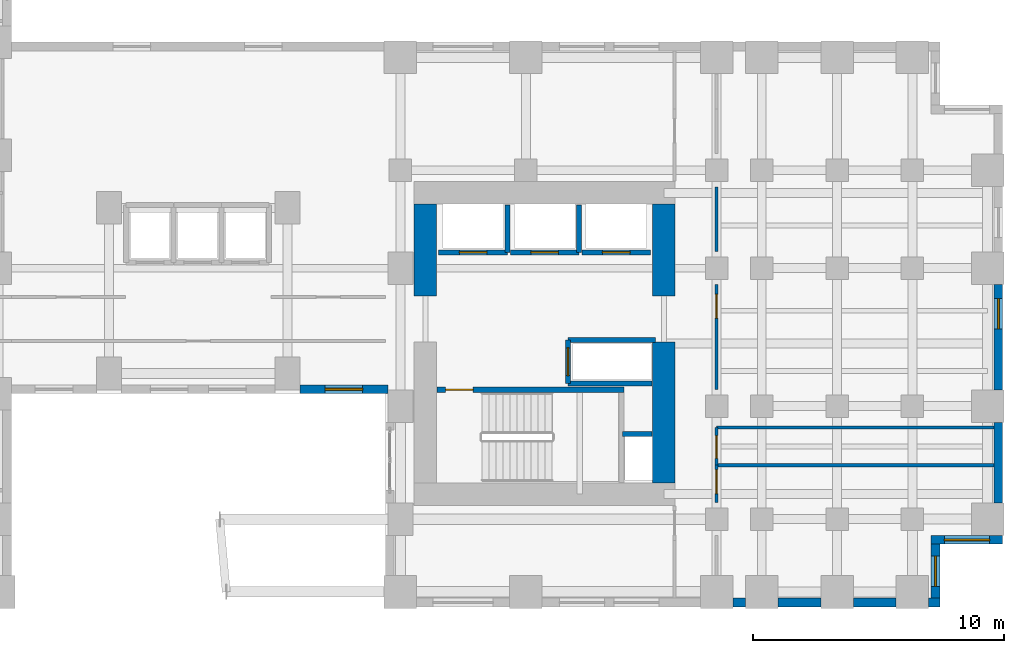
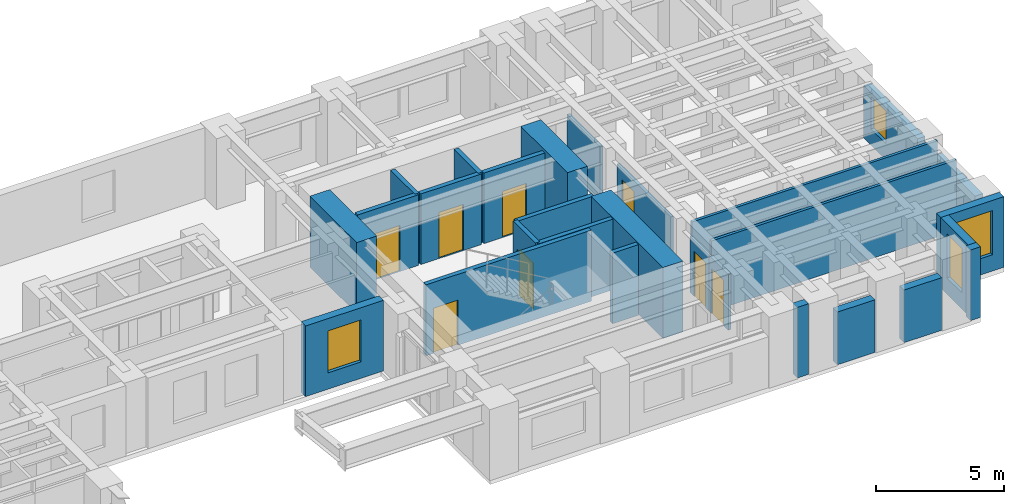
# One storey, part 10 of 14: 28 walls, 8 doors, 4 windows, 12 openings.
"""IFC4 building model written with IfcOpenShell, lengths in metres."""

from ifc_helpers import new_model, si_unit, direction, frame, frame_2d, origin, place, context, subcontext, project, spatial, rectangle, extrude, source, transform, mapped, material, layer, layer_set, type_object, element, fill, save


model = new_model("IFC4")

# Units and contexts
model_context = context("Model", 3, precision=1e-05, world=origin(), true_north=direction((0.0, 1.0)))
body_context = subcontext(model_context, "Body", "Model", "MODEL_VIEW")
ifc_project = project(units=[si_unit("LENGTHUNIT", "METRE"), si_unit("AREAUNIT", "SQUARE_METRE"), si_unit("VOLUMEUNIT", "CUBIC_METRE"), si_unit("PLANEANGLEUNIT", "RADIAN"), si_unit("MASSUNIT", "GRAM", prefix="KILO")], contexts=[model_context])

# Site, building, storey
site_placement = place(None, origin())
site = spatial("IfcSite", under=ifc_project, at=site_placement, CompositionType="ELEMENT")
building_placement = place(site_placement, origin())
building = spatial("IfcBuilding", under=site, at=building_placement, Name="Kharzan Plaza Tower", CompositionType="ELEMENT")
storey_placement = place(building_placement, frame((0.0, 0.0, 44.10009765625)))
storey = spatial("IfcBuildingStorey", under=building, at=storey_placement, Name="L11", CompositionType="ELEMENT", Elevation=44.10009765625)

# Wall, opening, window
ifc_material_1 = material(Name="Concrete C40/50", Category="concrete")
ifc_layer_1 = layer(ifc_material_1, 0.35009765625)
ifc_layer_set_1 = layer_set([ifc_layer_1], Name="Concrete C40/50")
wall_type_1 = type_object("IfcWallType", Name="WL-EXT-MAS-Z1", PredefinedType="SOLIDWALL", material=ifc_layer_set_1)
wall_1_placement = place(storey_placement, frame((30.998046875, 8.675048828125, 0.0), z_axis=(0.0, 0.0, 1.0), x_axis=(1.0, 0.0, 0.0)))
wall_1 = element("IfcWall", 1, at=wall_1_placement, inside=storey, type_object=wall_type_1, Name="L11 Masonry-Frame Exterior Wall 30", PredefinedType="SOLIDWALL", context=body_context, shape_type="SweptSolid", body=[
    extrude(rectangle(XDim=3.50390625, YDim=0.35009765625, at=frame_2d((1.751953125, 0.0))), origin(), (0.0, 0.0, 1.0), 3.364990234375),
])
opening_1_placement = place(wall_1_placement, frame((1.001953125, 0.0, 0.780029296875)))
opening_1 = element("IfcOpeningElement", 2, at=opening_1_placement, cuts=wall_1, Name="Opening W5", PredefinedType="OPENING", context=body_context, shape_type="SweptSolid", body=[
    extrude(rectangle(XDim=1.5, YDim=2.0, at=frame_2d((0.75, 1.0))), frame((0.0, 0.18505859375, 0.0), z_axis=(0.0, -1.0, 0.0), x_axis=(1.0, 0.0, 0.0)), (0.0, 0.0, 1.0), 0.3701171875),
])
ifc_material_2 = material(Name="Low-E Double Glazing", Category="glass")
window_type_1 = type_object("IfcWindowType", Name="WN-SLT-1500x2000", PartitioningType="SINGLE_PANEL", PredefinedType="WINDOW", material=ifc_material_2)
shared_shape_1 = source(origin(), body_context, "Body", "SweptSolid", [
    extrude(rectangle(XDim=1.5, YDim=2.0, at=frame_2d((0.75, 1.0))), frame((0.0, 0.030029296875, 0.0), z_axis=(0.0, -1.0, 0.0), x_axis=(1.0, 0.0, 0.0)), (0.0, 0.0, 1.0), 0.06005859375),
])
window_1_placement = place(opening_1_placement, origin())
window_1 = element("IfcWindow", 3, at=window_1_placement, inside=storey, type_object=window_type_1, Name="L11 Recessed Solar-Control Window 30-1", OverallHeight=2.0, OverallWidth=1.5, PartitioningType="SINGLE_PANEL", PredefinedType="WINDOW", context=body_context, shape_type="MappedRepresentation", body=[
    mapped(shared_shape_1, transform((0.0, 0.0, 0.0), x_axis=(1.0, 0.0, 0.0), y_axis=(0.0, 1.0, 0.0), z_axis=(0.0, 0.0, 1.0))),
])
fill(opening_1, window_1)

wall_2_placement = place(storey_placement, frame((56.324951171875, 0.347900390625, 0.0), z_axis=(0.0, 0.0, 1.0), x_axis=(0.0, 1.0, 0.0)))
wall_2 = element("IfcWall", 4, at=wall_2_placement, inside=storey, type_object=wall_type_1, Name="L11 Masonry-Frame Exterior Wall 40", PredefinedType="SOLIDWALL", context=body_context, shape_type="SweptSolid", body=[
    extrude(rectangle(XDim=2.154052734375, YDim=0.35009765625, at=frame_2d((1.0771484375, 0.0))), origin(), (0.0, 0.0, 1.0), 3.364990234375),
])
opening_2_placement = place(wall_2_placement, frame((0.47705078125, 0.0, 0.780029296875)))
opening_2 = element("IfcOpeningElement", 5, at=opening_2_placement, cuts=wall_2, Name="Opening W3", PredefinedType="OPENING", context=body_context, shape_type="SweptSolid", body=[
    extrude(rectangle(XDim=1.199951171875, YDim=2.10009765625, at=frame_2d((0.60009765625, 1.050048828125))), frame((0.0, 0.18505859375, 0.0), z_axis=(0.0, -1.0, 0.0), x_axis=(1.0, 0.0, 0.0)), (0.0, 0.0, 1.0), 0.3701171875),
])
window_type_2 = type_object("IfcWindowType", Name="WN-REC-1200x2100", PartitioningType="SINGLE_PANEL", PredefinedType="WINDOW", material=ifc_material_2)
shared_shape_2 = source(origin(), body_context, "Body", "SweptSolid", [
    extrude(rectangle(XDim=1.199951171875, YDim=2.10009765625, at=frame_2d((0.60009765625, 1.050048828125))), frame((0.0, 0.030029296875, 0.0), z_axis=(0.0, -1.0, 0.0), x_axis=(1.0, 0.0, 0.0)), (0.0, 0.0, 1.0), 0.06005859375),
])
window_2_placement = place(opening_2_placement, origin())
window_2 = element("IfcWindow", 6, at=window_2_placement, inside=storey, type_object=window_type_2, Name="L11 Recessed Solar-Control Window 40-1", OverallHeight=2.10009765625, OverallWidth=1.199951171875, PartitioningType="SINGLE_PANEL", PredefinedType="WINDOW", context=body_context, shape_type="MappedRepresentation", body=[
    mapped(shared_shape_2, transform((0.0, 0.0, 0.0), x_axis=(1.0, 0.0, 0.0), y_axis=(0.0, 1.0, 0.0), z_axis=(0.0, 0.0, 1.0))),
])
fill(opening_2, window_2)

wall_3_placement = place(storey_placement, frame((56.14990234375, 2.675048828125, 0.0), z_axis=(0.0, 0.0, 1.0), x_axis=(1.0, 0.0, 0.0)))
wall_3 = element("IfcWall", 7, at=wall_3_placement, inside=storey, type_object=wall_type_1, Name="L11 Masonry-Frame Exterior Wall 41", PredefinedType="SOLIDWALL", context=body_context, shape_type="SweptSolid", body=[
    extrude(rectangle(XDim=2.85009765625, YDim=0.35009765625, at=frame_2d((1.425048828125, 0.0))), origin(), (0.0, 0.0, 1.0), 3.364990234375),
])
opening_3_placement = place(wall_3_placement, frame((0.52490234375, 0.0, 0.780029296875)))
opening_3 = element("IfcOpeningElement", 8, at=opening_3_placement, cuts=wall_3, Name="Opening W1", PredefinedType="OPENING", context=body_context, shape_type="SweptSolid", body=[
    extrude(rectangle(XDim=1.800048828125, YDim=2.10009765625, at=frame_2d((0.89990234375, 1.050048828125))), frame((0.0, 0.18505859375, 0.0), z_axis=(0.0, -1.0, 0.0), x_axis=(1.0, 0.0, 0.0)), (0.0, 0.0, 1.0), 0.3701171875),
])
window_type_3 = type_object("IfcWindowType", Name="WN-REC-1800x2100", PartitioningType="SINGLE_PANEL", PredefinedType="WINDOW", material=ifc_material_2)
shared_shape_3 = source(origin(), body_context, "Body", "SweptSolid", [
    extrude(rectangle(XDim=1.800048828125, YDim=2.10009765625, at=frame_2d((0.89990234375, 1.050048828125))), frame((0.0, 0.030029296875, 0.0), z_axis=(0.0, -1.0, 0.0), x_axis=(1.0, 0.0, 0.0)), (0.0, 0.0, 1.0), 0.06005859375),
])
window_3_placement = place(opening_3_placement, origin())
window_3 = element("IfcWindow", 9, at=window_3_placement, inside=storey, type_object=window_type_3, Name="L11 Recessed Solar-Control Window 41-1", OverallHeight=2.10009765625, OverallWidth=1.800048828125, PartitioningType="SINGLE_PANEL", PredefinedType="WINDOW", context=body_context, shape_type="MappedRepresentation", body=[
    mapped(shared_shape_3, transform((0.0, 0.0, 0.0), x_axis=(1.0, 0.0, 0.0), y_axis=(0.0, 1.0, 0.0), z_axis=(0.0, 0.0, 1.0))),
])
fill(opening_3, window_3)

wall_4_placement = place(storey_placement, frame((58.824951171875, 8.64794921875, 0.0), z_axis=(0.0, 0.0, 1.0), x_axis=(0.0, 1.0, 0.0)))
wall_4 = element("IfcWall", 10, at=wall_4_placement, inside=storey, type_object=wall_type_1, Name="L11 Masonry-Frame Exterior Wall 43", PredefinedType="SOLIDWALL", context=body_context, shape_type="SweptSolid", body=[
    extrude(rectangle(XDim=4.2041015625, YDim=0.35009765625, at=frame_2d((2.10205078125, 0.0))), origin(), (0.0, 0.0, 1.0), 2.510009765625),
])
opening_4_placement = place(wall_4_placement, frame((2.436767578125, 0.0, 0.780029296875)))
opening_4 = element("IfcOpeningElement", 11, at=opening_4_placement, cuts=wall_4, Name="Opening W3", PredefinedType="OPENING", context=body_context, shape_type="SweptSolid", body=[
    extrude(rectangle(XDim=1.199951171875, YDim=1.550048828125, at=frame_2d((0.60009765625, 0.77490234375))), frame((0.0, 0.18505859375, 0.0), z_axis=(0.0, -1.0, 0.0), x_axis=(1.0, 0.0, 0.0)), (0.0, 0.0, 1.0), 0.3701171875),
])
shared_shape_4 = source(origin(), body_context, "Body", "SweptSolid", [
    extrude(rectangle(XDim=1.199951171875, YDim=1.550048828125, at=frame_2d((0.60009765625, 0.77490234375))), frame((0.0, 0.030029296875, 0.0), z_axis=(0.0, -1.0, 0.0), x_axis=(1.0, 0.0, 0.0)), (0.0, 0.0, 1.0), 0.06005859375),
])
window_4_placement = place(opening_4_placement, origin())
window_4 = element("IfcWindow", 12, at=window_4_placement, inside=storey, type_object=window_type_2, Name="L11 Recessed Solar-Control Window 43-1", OverallHeight=1.550048828125, OverallWidth=1.199951171875, PartitioningType="SINGLE_PANEL", PredefinedType="WINDOW", context=body_context, shape_type="MappedRepresentation", body=[
    mapped(shared_shape_4, transform((0.0, 0.0, 0.0), x_axis=(1.0, 0.0, 0.0), y_axis=(0.0, 1.0, 0.0), z_axis=(0.0, 0.0, 1.0))),
])
fill(opening_4, window_4)

# Wall, opening, door
ifc_material_3 = material(Name="Fire-Rated Gypsum Board Partition", Category="gypsum")
ifc_layer_2 = layer(ifc_material_3, 0.125)
ifc_layer_set_2 = layer_set([ifc_layer_2], Name="Fire-Rated Gypsum Board Partition")
wall_type_2 = type_object("IfcWallType", Name="WL-INT-PART-125", PredefinedType="PARTITIONING", material=ifc_layer_set_2)
wall_5_placement = place(storey_placement, frame((47.60009765625, 4.159912109375, 0.0), z_axis=(0.0, 0.0, 1.0), x_axis=(0.0, 1.0, 0.0)))
wall_5 = element("IfcWall", 13, at=wall_5_placement, inside=storey, type_object=wall_type_2, Name="L11 Interior Partition SH-B0W0", PredefinedType="PARTITIONING", context=body_context, shape_type="SweptSolid", body=[
    extrude(rectangle(XDim=1.489990234375, YDim=0.125, at=frame_2d((0.7451171875, 0.0))), origin(), (0.0, 0.0, 1.0), 2.669921875),
])
opening_5_placement = place(wall_5_placement, frame((0.360107421875, 0.0, 0.0)))
opening_5 = element("IfcOpeningElement", 14, at=opening_5_placement, cuts=wall_5, Name="Opening OD1", PredefinedType="OPENING", context=body_context, shape_type="SweptSolid", body=[
    extrude(rectangle(XDim=0.949951171875, YDim=2.14990234375, at=frame_2d((0.47509765625, 1.074951171875))), frame((0.0, 0.072509765625, 0.0), z_axis=(0.0, -1.0, 0.0), x_axis=(1.0, 0.0, 0.0)), (0.0, 0.0, 1.0), 0.14501953125),
])
ifc_material_4 = material(Name="Acoustic Solid-Core Stained Oak", Category="timber")
door_type_1 = type_object("IfcDoorType", Name="DR-OFF-SINGLE", OperationType="NOTDEFINED", PredefinedType="DOOR", material=ifc_material_4)
shared_shape_5 = source(origin(), body_context, "Body", "SweptSolid", [
    extrude(rectangle(XDim=0.949951171875, YDim=2.14990234375, at=frame_2d((0.47509765625, 1.074951171875))), frame((0.0, 0.02490234375, 0.0), z_axis=(0.0, -1.0, 0.0), x_axis=(1.0, 0.0, 0.0)), (0.0, 0.0, 1.0), 0.050048828125),
])
door_1_placement = place(opening_5_placement, origin())
door_1 = element("IfcDoor", 15, at=door_1_placement, inside=storey, type_object=door_type_1, Name="L11 Wing B South Office Door", OperationType="SINGLE_SWING_RIGHT", OverallHeight=2.14990234375, OverallWidth=0.949951171875, PredefinedType="DOOR", context=body_context, shape_type="MappedRepresentation", body=[
    mapped(shared_shape_5, transform((0.0, 0.0, 0.0), x_axis=(1.0, 0.0, 0.0), y_axis=(0.0, 1.0, 0.0), z_axis=(0.0, 0.0, 1.0))),
])
fill(opening_5, door_1)

wall_6_placement = place(storey_placement, frame((47.60009765625, 8.659912109375, 0.0), z_axis=(0.0, 0.0, 1.0), x_axis=(0.0, 1.0, 0.0)))
wall_6 = element("IfcWall", 16, at=wall_6_placement, inside=storey, type_object=wall_type_2, Name="L11 Interior Partition SH-B0W1-S1", PredefinedType="PARTITIONING", context=body_context, shape_type="SweptSolid", body=[
    extrude(rectangle(XDim=4.18017578125, YDim=0.125, at=frame_2d((2.090087890625, 0.0))), origin(), (0.0, 0.0, 1.0), 2.669921875),
])
opening_6_placement = place(wall_6_placement, frame((2.844970703125, 0.0, 0.0)))
opening_6 = element("IfcOpeningElement", 17, at=opening_6_placement, cuts=wall_6, Name="Opening OD1", PredefinedType="OPENING", context=body_context, shape_type="SweptSolid", body=[
    extrude(rectangle(XDim=0.949951171875, YDim=2.14990234375, at=frame_2d((0.47509765625, 1.074951171875))), frame((0.0, 0.072509765625, 0.0), z_axis=(0.0, -1.0, 0.0), x_axis=(1.0, 0.0, 0.0)), (0.0, 0.0, 1.0), 0.14501953125),
])
door_2_placement = place(opening_6_placement, origin())
door_2 = element("IfcDoor", 18, at=door_2_placement, inside=storey, type_object=door_type_1, Name="L11 Open Engineering Workspace Door", OperationType="SINGLE_SWING_LEFT", OverallHeight=2.14990234375, OverallWidth=0.949951171875, PredefinedType="DOOR", context=body_context, shape_type="MappedRepresentation", body=[
    mapped(shared_shape_5, transform((0.0, 0.0, 0.0), x_axis=(1.0, 0.0, 0.0), y_axis=(0.0, 1.0, 0.0), z_axis=(0.0, 0.0, 1.0))),
])
fill(opening_6, door_2)

wall_7_placement = place(storey_placement, frame((47.60009765625, 5.64990234375, 0.0), z_axis=(0.0, 0.0, 1.0), x_axis=(0.0, 1.0, 0.0)))
wall_7 = element("IfcWall", 19, at=wall_7_placement, inside=storey, type_object=wall_type_2, Name="L11 Interior Partition SH-B0WC", PredefinedType="PARTITIONING", context=body_context, shape_type="SweptSolid", body=[
    extrude(rectangle(XDim=1.5, YDim=0.125, at=frame_2d((0.75, 0.0))), origin(), (0.0, 0.0, 1.0), 2.669921875),
])
opening_7_placement = place(wall_7_placement, frame((0.27490234375, 0.0, 0.0)))
opening_7 = element("IfcOpeningElement", 20, at=opening_7_placement, cuts=wall_7, Name="Opening WD1", PredefinedType="OPENING", context=body_context, shape_type="SweptSolid", body=[
    extrude(rectangle(XDim=0.89990234375, YDim=2.14990234375, at=frame_2d((0.449951171875, 1.074951171875))), frame((0.0, 0.072509765625, 0.0), z_axis=(0.0, -1.0, 0.0), x_axis=(1.0, 0.0, 0.0)), (0.0, 0.0, 1.0), 0.14501953125),
])
ifc_material_5 = material(Name="Moisture-Resistant Fire-Rated Laminate", Category="timber")
door_type_2 = type_object("IfcDoorType", Name="DR-WC-900", OperationType="NOTDEFINED", PredefinedType="DOOR", material=ifc_material_5)
shared_shape_6 = source(origin(), body_context, "Body", "SweptSolid", [
    extrude(rectangle(XDim=0.89990234375, YDim=2.14990234375, at=frame_2d((0.449951171875, 1.074951171875))), frame((0.0, 0.02490234375, 0.0), z_axis=(0.0, -1.0, 0.0), x_axis=(1.0, 0.0, 0.0)), (0.0, 0.0, 1.0), 0.050048828125),
])
door_3_placement = place(opening_7_placement, origin())
door_3 = element("IfcDoor", 21, at=door_3_placement, inside=storey, type_object=door_type_2, Name="L11 Wing B Washroom Door", OperationType="SINGLE_SWING_LEFT", OverallHeight=2.14990234375, OverallWidth=0.89990234375, PredefinedType="DOOR", context=body_context, shape_type="MappedRepresentation", body=[
    mapped(shared_shape_6, transform((0.0, 0.0, 0.0), x_axis=(1.0, 0.0, 0.0), y_axis=(0.0, 1.0, 0.0), z_axis=(0.0, 0.0, 1.0))),
])
fill(opening_7, door_3)

ifc_layer_3 = layer(ifc_material_1, 0.199951171875)
ifc_layer_set_3 = layer_set([ifc_layer_3], Name="Concrete C40/50")
wall_type_3 = type_object("IfcWallType", Name="WL-INT-SHAFT-200", PredefinedType="PARTITIONING", material=ifc_layer_set_3)
wall_8_placement = place(storey_placement, frame((36.530029296875, 14.1298828125, 0.0), z_axis=(0.0, 0.0, 1.0), x_axis=(1.0, 0.0, 0.0)))
wall_8 = element("IfcWall", 22, at=wall_8_placement, inside=storey, type_object=wall_type_3, Name="L11 Interior Partition SHF-PL-L1-S", PredefinedType="PARTITIONING", context=body_context, shape_type="SweptSolid", body=[
    extrude(rectangle(XDim=2.739990234375, YDim=0.199951171875, at=frame_2d((1.3701171875, 0.0))), origin(), (0.0, 0.0, 1.0), 3.364990234375),
])
opening_8_placement = place(wall_8_placement, frame((0.820068359375, 0.0, 0.0)))
opening_8 = element("IfcOpeningElement", 23, at=opening_8_placement, cuts=wall_8, Name="Opening LD", PredefinedType="OPENING", context=body_context, shape_type="SweptSolid", body=[
    extrude(rectangle(XDim=1.10009765625, YDim=2.199951171875, at=frame_2d((0.550048828125, 1.10009765625))), frame((0.0, 0.10986328125, 0.0), z_axis=(0.0, -1.0, 0.0), x_axis=(1.0, 0.0, 0.0)), (0.0, 0.0, 1.0), 0.219970703125),
])
ifc_material_6 = material(Name="Brushed Stainless Steel", Category="steel")
door_type_3 = type_object("IfcDoorType", Name="DR-LIFT-SLIDE", OperationType="SLIDING_TO_LEFT", PredefinedType="DOOR", material=ifc_material_6)
shared_shape_7 = source(origin(), body_context, "Body", "SweptSolid", [
    extrude(rectangle(XDim=1.10009765625, YDim=2.199951171875, at=frame_2d((0.550048828125, 1.10009765625))), frame((0.0, 0.02490234375, 0.0), z_axis=(0.0, -1.0, 0.0), x_axis=(1.0, 0.0, 0.0)), (0.0, 0.0, 1.0), 0.050048828125),
])
door_4_placement = place(opening_8_placement, origin())
door_4 = element("IfcDoor", 24, at=door_4_placement, inside=storey, type_object=door_type_3, Name="L11 Low-Rise Passenger Lift PL-L1 Sliding Landing Door", OperationType="SLIDING_TO_LEFT", OverallHeight=2.199951171875, OverallWidth=1.10009765625, PredefinedType="DOOR", context=body_context, shape_type="MappedRepresentation", body=[
    mapped(shared_shape_7, transform((0.0, 0.0, 0.0), x_axis=(1.0, 0.0, 0.0), y_axis=(0.0, 1.0, 0.0), z_axis=(0.0, 0.0, 1.0))),
])
fill(opening_8, door_4)

wall_9_placement = place(storey_placement, frame((39.3798828125, 14.1298828125, 0.0), z_axis=(0.0, 0.0, 1.0), x_axis=(1.0, 0.0, 0.0)))
wall_9 = element("IfcWall", 25, at=wall_9_placement, inside=storey, type_object=wall_type_3, Name="L11 Interior Partition SHF-PL-L2-S", PredefinedType="PARTITIONING", context=body_context, shape_type="SweptSolid", body=[
    extrude(rectangle(XDim=2.740234375, YDim=0.199951171875, at=frame_2d((1.3701171875, 0.0))), origin(), (0.0, 0.0, 1.0), 3.364990234375),
])
opening_9_placement = place(wall_9_placement, frame((0.820068359375, 0.0, 0.0)))
opening_9 = element("IfcOpeningElement", 26, at=opening_9_placement, cuts=wall_9, Name="Opening LD", PredefinedType="OPENING", context=body_context, shape_type="SweptSolid", body=[
    extrude(rectangle(XDim=1.10009765625, YDim=2.199951171875, at=frame_2d((0.550048828125, 1.10009765625))), frame((0.0, 0.10986328125, 0.0), z_axis=(0.0, -1.0, 0.0), x_axis=(1.0, 0.0, 0.0)), (0.0, 0.0, 1.0), 0.219970703125),
])
door_5_placement = place(opening_9_placement, origin())
door_5 = element("IfcDoor", 27, at=door_5_placement, inside=storey, type_object=door_type_3, Name="L11 Low-Rise Passenger Lift PL-L2 Sliding Landing Door", OperationType="SLIDING_TO_LEFT", OverallHeight=2.199951171875, OverallWidth=1.10009765625, PredefinedType="DOOR", context=body_context, shape_type="MappedRepresentation", body=[
    mapped(shared_shape_7, transform((0.0, 0.0, 0.0), x_axis=(1.0, 0.0, 0.0), y_axis=(0.0, 1.0, 0.0), z_axis=(0.0, 0.0, 1.0))),
])
fill(opening_9, door_5)

wall_10_placement = place(storey_placement, frame((42.22998046875, 14.1298828125, 0.0), z_axis=(0.0, 0.0, 1.0), x_axis=(1.0, 0.0, 0.0)))
wall_10 = element("IfcWall", 28, at=wall_10_placement, inside=storey, type_object=wall_type_3, Name="L11 Interior Partition SHF-PL-L3-S", PredefinedType="PARTITIONING", context=body_context, shape_type="SweptSolid", body=[
    extrude(rectangle(XDim=2.739990234375, YDim=0.199951171875, at=frame_2d((1.3701171875, 0.0))), origin(), (0.0, 0.0, 1.0), 3.364990234375),
])
opening_10_placement = place(wall_10_placement, frame((0.820068359375, 0.0, 0.0)))
opening_10 = element("IfcOpeningElement", 29, at=opening_10_placement, cuts=wall_10, Name="Opening LD", PredefinedType="OPENING", context=body_context, shape_type="SweptSolid", body=[
    extrude(rectangle(XDim=1.10009765625, YDim=2.199951171875, at=frame_2d((0.550048828125, 1.10009765625))), frame((0.0, 0.10986328125, 0.0), z_axis=(0.0, -1.0, 0.0), x_axis=(1.0, 0.0, 0.0)), (0.0, 0.0, 1.0), 0.219970703125),
])
door_6_placement = place(opening_10_placement, origin())
door_6 = element("IfcDoor", 30, at=door_6_placement, inside=storey, type_object=door_type_3, Name="L11 Low-Rise Passenger Lift PL-L3 Sliding Landing Door", OperationType="SLIDING_TO_LEFT", OverallHeight=2.199951171875, OverallWidth=1.10009765625, PredefinedType="DOOR", context=body_context, shape_type="MappedRepresentation", body=[
    mapped(shared_shape_7, transform((0.0, 0.0, 0.0), x_axis=(1.0, 0.0, 0.0), y_axis=(0.0, 1.0, 0.0), z_axis=(0.0, 0.0, 1.0))),
])
fill(opening_10, door_6)

wall_11_placement = place(storey_placement, frame((41.679931640625, 8.89990234375, 0.0), z_axis=(0.0, 0.0, 1.0), x_axis=(0.0, 1.0, 0.0)))
wall_11 = element("IfcWall", 31, at=wall_11_placement, inside=storey, type_object=wall_type_3, Name="L11 Interior Partition SHF-SVL-2-W", PredefinedType="PARTITIONING", context=body_context, shape_type="SweptSolid", body=[
    extrude(rectangle(XDim=1.739990234375, YDim=0.199951171875, at=frame_2d((0.8701171875, 0.0))), origin(), (0.0, 0.0, 1.0), 3.364990234375),
])
opening_11_placement = place(wall_11_placement, frame((0.320068359375, 0.0, 0.0)))
opening_11 = element("IfcOpeningElement", 32, at=opening_11_placement, cuts=wall_11, Name="Opening LD", PredefinedType="OPENING", context=body_context, shape_type="SweptSolid", body=[
    extrude(rectangle(XDim=1.10009765625, YDim=2.199951171875, at=frame_2d((0.550048828125, 1.10009765625))), frame((0.0, 0.10986328125, 0.0), z_axis=(0.0, -1.0, 0.0), x_axis=(1.0, 0.0, 0.0)), (0.0, 0.0, 1.0), 0.219970703125),
])
door_7_placement = place(opening_11_placement, origin())
door_7 = element("IfcDoor", 33, at=door_7_placement, inside=storey, type_object=door_type_3, Name="L11 Service Lift SVL-2 Sliding Landing Door", OperationType="SLIDING_TO_LEFT", OverallHeight=2.199951171875, OverallWidth=1.10009765625, PredefinedType="DOOR", context=body_context, shape_type="MappedRepresentation", body=[
    mapped(shared_shape_7, transform((0.0, 0.0, 0.0), x_axis=(1.0, 0.0, 0.0), y_axis=(0.0, 1.0, 0.0), z_axis=(0.0, 0.0, 1.0))),
])
fill(opening_11, door_7)

ifc_material_7 = material(Name="Concrete C50/60", Category="concrete")
ifc_layer_4 = layer(ifc_material_7, 0.199951171875)
ifc_layer_set_4 = layer_set([ifc_layer_4], Name="Concrete C50/60")
wall_type_4 = type_object("IfcWallType", Name="WL-SHAFT-RC200", PredefinedType="SHEAR", material=ifc_layer_set_4)
wall_12_placement = place(storey_placement, frame((36.451904296875, 8.655029296875, 0.0), z_axis=(0.0, 0.0, 1.0), x_axis=(1.0, 0.0, 0.0)))
wall_12 = element("IfcWall", 34, at=wall_12_placement, inside=storey, type_object=wall_type_4, Name="L11 Stair ST-3 North RC Shaft Wall", PredefinedType="SHEAR", context=body_context, shape_type="SweptSolid", body=[
    extrude(rectangle(XDim=7.453125, YDim=0.199951171875, at=frame_2d((3.7265625, 0.0))), origin(), (0.0, 0.0, 1.0), 3.3798828125),
])
opening_12_placement = place(wall_12_placement, frame((0.35009765625, 0.0, 0.0)))
opening_12 = element("IfcOpeningElement", 35, at=opening_12_placement, cuts=wall_12, Name="Opening SD1", PredefinedType="OPENING", context=body_context, shape_type="SweptSolid", body=[
    extrude(rectangle(XDim=1.10009765625, YDim=2.14990234375, at=frame_2d((0.550048828125, 1.074951171875))), frame((0.0, 0.10986328125, 0.0), z_axis=(0.0, -1.0, 0.0), x_axis=(1.0, 0.0, 0.0)), (0.0, 0.0, 1.0), 0.219970703125),
])
ifc_material_8 = material(Name="Fire-Rated Hollow Galvanized Steel", Category="steel")
door_type_4 = type_object("IfcDoorType", Name="DR-STAIR-FD120", OperationType="NOTDEFINED", PredefinedType="DOOR", material=ifc_material_8)
shared_shape_8 = source(origin(), body_context, "Body", "SweptSolid", [
    extrude(rectangle(XDim=1.10009765625, YDim=2.14990234375, at=frame_2d((0.550048828125, 1.074951171875))), frame((0.0, 0.02490234375, 0.0), z_axis=(0.0, -1.0, 0.0), x_axis=(1.0, 0.0, 0.0)), (0.0, 0.0, 1.0), 0.050048828125),
])
door_8_placement = place(opening_12_placement, origin())
door_8 = element("IfcDoor", 36, at=door_8_placement, inside=storey, type_object=door_type_4, Name="L11 Stair ST-3 Fire Exit Door", OperationType="SINGLE_SWING_LEFT", OverallHeight=2.14990234375, OverallWidth=1.10009765625, PredefinedType="DOOR", context=body_context, shape_type="MappedRepresentation", body=[
    mapped(shared_shape_8, transform((0.0, 0.0, 0.0), x_axis=(1.0, 0.0, 0.0), y_axis=(0.0, 1.0, 0.0), z_axis=(0.0, 0.0, 1.0))),
])
fill(opening_12, door_8)

# Walls
ifc_material_9 = material(Name="Concrete C60/75", Category="concrete")
ifc_layer_5 = layer(ifc_material_9, 0.89990234375)
ifc_layer_set_5 = layer_set([ifc_layer_5], Name="Concrete C60/75")
wall_type_5 = type_object("IfcWallType", Name="WL-CORE-900", PredefinedType="SHEAR", material=ifc_layer_set_5)
shared_shape_9 = source(origin(), body_context, "Body", "SweptSolid", [
    extrude(rectangle(XDim=5.60009765625, YDim=0.89990234375, at=frame_2d((2.800048828125, 0.0))), origin(), (0.0, 0.0, 1.0), 3.3798828125),
])
wall_13_placement = place(storey_placement, frame((45.5, 4.949951171875, 0.0), z_axis=(0.0, 0.0, 1.0), x_axis=(0.0, 1.0, 0.0)))
element("IfcWall", 37, at=wall_13_placement, inside=storey, type_object=wall_type_5, Name="L11 CORE-B east shear pier 1", PredefinedType="SHEAR", context=body_context, shape_type="MappedRepresentation", body=[
    mapped(shared_shape_9, transform((0.0, 0.0, 0.0), x_axis=(1.0, 0.0, 0.0), y_axis=(0.0, 1.0, 0.0), z_axis=(0.0, 0.0, 1.0))),
])
shared_shape_10 = source(origin(), body_context, "Body", "SweptSolid", [
    extrude(rectangle(XDim=3.650146484375, YDim=0.89990234375, at=frame_2d((1.8251953125, 0.0))), origin(), (0.0, 0.0, 1.0), 3.3798828125),
])
for number, where, z_axis, x_axis, name in (
    (38, (45.5, 12.39990234375, 0.0), (0.0, 0.0, 1.0), (0.0, 1.0, 0.0), "L11 CORE-B east shear pier 2"),
    (39, (36.0, 12.39990234375, 0.0), (0.0, 0.0, 1.0), (0.0, 1.0, 0.0), "L11 CORE-B west shear pier 2"),
):
    element("IfcWall", number, at=place(storey_placement, frame(where, z_axis=z_axis, x_axis=x_axis)), inside=storey, type_object=wall_type_5, Name=name, PredefinedType="SHEAR", context=body_context, shape_type="MappedRepresentation", body=[
        mapped(shared_shape_10, transform((0.0, 0.0, 0.0), x_axis=(1.0, 0.0, 0.0), y_axis=(0.0, 1.0, 0.0), z_axis=(0.0, 0.0, 1.0))),
    ])
shared_shape_11 = source(origin(), body_context, "Body", "SweptSolid", [
    extrude(rectangle(XDim=0.50390625, YDim=0.35009765625, at=frame_2d((0.251953125, 0.0))), origin(), (0.0, 0.0, 1.0), 3.364990234375),
])
wall_14_placement = place(storey_placement, frame((48.248046875, 0.175048828125, 0.0), z_axis=(0.0, 0.0, 1.0), x_axis=(1.0, 0.0, 0.0)))
element("IfcWall", 40, at=wall_14_placement, inside=storey, type_object=wall_type_1, Name="L11 Masonry-Frame Exterior Wall 36", PredefinedType="SOLIDWALL", context=body_context, shape_type="MappedRepresentation", body=[
    mapped(shared_shape_11, transform((0.0, 0.0, 0.0), x_axis=(1.0, 0.0, 0.0), y_axis=(0.0, 1.0, 0.0), z_axis=(0.0, 0.0, 1.0))),
])
shared_shape_12 = source(origin(), body_context, "Body", "SweptSolid", [
    extrude(rectangle(XDim=1.703857421875, YDim=0.35009765625, at=frame_2d((0.85205078125, 0.0))), origin(), (0.0, 0.0, 1.0), 2.510009765625),
])
for number, where, z_axis, x_axis, name in (
    (41, (50.048095703125, 0.175048828125, 0.0), (0.0, 0.0, 1.0), (1.0, 0.0, 0.0), "L11 Masonry-Frame Exterior Wall 37"),
    (42, (53.048095703125, 0.175048828125, 0.0), (0.0, 0.0, 1.0), (1.0, 0.0, 0.0), "L11 Masonry-Frame Exterior Wall 38"),
):
    element("IfcWall", number, at=place(storey_placement, frame(where, z_axis=z_axis, x_axis=x_axis)), inside=storey, type_object=wall_type_1, Name=name, PredefinedType="SOLIDWALL", context=body_context, shape_type="MappedRepresentation", body=[
        mapped(shared_shape_12, transform((0.0, 0.0, 0.0), x_axis=(1.0, 0.0, 0.0), y_axis=(0.0, 1.0, 0.0), z_axis=(0.0, 0.0, 1.0))),
    ])
shared_shape_13 = source(origin(), body_context, "Body", "SweptSolid", [
    extrude(rectangle(XDim=0.451904296875, YDim=0.35009765625, at=frame_2d((0.22607421875, 0.0))), origin(), (0.0, 0.0, 1.0), 3.364990234375),
])
wall_15_placement = place(storey_placement, frame((56.048095703125, 0.175048828125, 0.0), z_axis=(0.0, 0.0, 1.0), x_axis=(1.0, 0.0, 0.0)))
element("IfcWall", 43, at=wall_15_placement, inside=storey, type_object=wall_type_1, Name="L11 Masonry-Frame Exterior Wall 39", PredefinedType="SOLIDWALL", context=body_context, shape_type="MappedRepresentation", body=[
    mapped(shared_shape_13, transform((0.0, 0.0, 0.0), x_axis=(1.0, 0.0, 0.0), y_axis=(0.0, 1.0, 0.0), z_axis=(0.0, 0.0, 1.0))),
])
shared_shape_14 = source(origin(), body_context, "Body", "SweptSolid", [
    extrude(rectangle(XDim=3.2041015625, YDim=0.35009765625, at=frame_2d((1.60205078125, 0.0))), origin(), (0.0, 0.0, 1.0), 2.510009765625),
])
wall_16_placement = place(storey_placement, frame((58.824951171875, 4.14794921875, 0.0), z_axis=(0.0, 0.0, 1.0), x_axis=(0.0, 1.0, 0.0)))
element("IfcWall", 44, at=wall_16_placement, inside=storey, type_object=wall_type_1, Name="L11 Masonry-Frame Exterior Wall 42", PredefinedType="SOLIDWALL", context=body_context, shape_type="MappedRepresentation", body=[
    mapped(shared_shape_14, transform((0.0, 0.0, 0.0), x_axis=(1.0, 0.0, 0.0), y_axis=(0.0, 1.0, 0.0), z_axis=(0.0, 0.0, 1.0))),
])
shared_shape_15 = source(origin(), body_context, "Body", "SweptSolid", [
    extrude(rectangle(XDim=11.0478515625, YDim=0.125, at=frame_2d((5.52392578125, 0.0))), origin(), (0.0, 0.0, 1.0), 3.364990234375),
])
for number, where, z_axis, x_axis, name in (
    (45, (47.60009765625, 5.64990234375, 0.0), (0.0, 0.0, 1.0), (1.0, 0.0, 0.0), "L11 Interior Partition SH-B0H1"),
    (46, (47.60009765625, 7.14990234375, 0.0), (0.0, 0.0, 1.0), (1.0, 0.0, 0.0), "L11 Interior Partition SH-B0H2"),
):
    element("IfcWall", number, at=place(storey_placement, frame(where, z_axis=z_axis, x_axis=x_axis)), inside=storey, type_object=wall_type_2, Name=name, PredefinedType="PARTITIONING", context=body_context, shape_type="MappedRepresentation", body=[
        mapped(shared_shape_15, transform((0.0, 0.0, 0.0), x_axis=(1.0, 0.0, 0.0), y_axis=(0.0, 1.0, 0.0), z_axis=(0.0, 0.0, 1.0))),
    ])
shared_shape_16 = source(origin(), body_context, "Body", "SweptSolid", [
    extrude(rectangle(XDim=2.580078125, YDim=0.125, at=frame_2d((1.2900390625, 0.0))), origin(), (0.0, 0.0, 1.0), 2.669921875),
])
wall_17_placement = place(storey_placement, frame((47.60009765625, 14.159912109375, 0.0), z_axis=(0.0, 0.0, 1.0), x_axis=(0.0, 1.0, 0.0)))
element("IfcWall", 47, at=wall_17_placement, inside=storey, type_object=wall_type_2, Name="L11 Interior Partition SH-B0W1-S2", PredefinedType="PARTITIONING", context=body_context, shape_type="MappedRepresentation", body=[
    mapped(shared_shape_16, transform((0.0, 0.0, 0.0), x_axis=(1.0, 0.0, 0.0), y_axis=(0.0, 1.0, 0.0), z_axis=(0.0, 0.0, 1.0))),
])
shared_shape_17 = source(origin(), body_context, "Body", "SweptSolid", [
    extrude(rectangle(XDim=1.169921875, YDim=0.199951171875, at=frame_2d((0.5849609375, 0.0))), origin(), (0.0, 0.0, 1.0), 3.364990234375),
])
wall_18_placement = place(storey_placement, frame((43.85009765625, 6.89990234375, 0.0), z_axis=(0.0, 0.0, 1.0), x_axis=(1.0, 0.0, 0.0)))
element("IfcWall", 48, at=wall_18_placement, inside=storey, type_object=wall_type_3, Name="L11 Interior Partition CB-RSRB-N", PredefinedType="PARTITIONING", context=body_context, shape_type="MappedRepresentation", body=[
    mapped(shared_shape_17, transform((0.0, 0.0, 0.0), x_axis=(1.0, 0.0, 0.0), y_axis=(0.0, 1.0, 0.0), z_axis=(0.0, 0.0, 1.0))),
])
shared_shape_18 = source(origin(), body_context, "Body", "SweptSolid", [
    extrude(rectangle(XDim=1.89013671875, YDim=0.199951171875, at=frame_2d((0.945068359375, 0.0))), origin(), (0.0, 0.0, 1.0), 3.364990234375),
])
for number, where, z_axis, x_axis, name in (
    (49, (39.27001953125, 14.1298828125, 0.0), (0.0, 0.0, 1.0), (0.0, 1.0, 0.0), "L11 Interior Partition SHF-PL-L1-E"),
    (50, (42.1201171875, 14.1298828125, 0.0), (0.0, 0.0, 1.0), (0.0, 1.0, 0.0), "L11 Interior Partition SHF-PL-L2-E"),
):
    element("IfcWall", number, at=place(storey_placement, frame(where, z_axis=z_axis, x_axis=x_axis)), inside=storey, type_object=wall_type_3, Name=name, PredefinedType="PARTITIONING", context=body_context, shape_type="MappedRepresentation", body=[
        mapped(shared_shape_18, transform((0.0, 0.0, 0.0), x_axis=(1.0, 0.0, 0.0), y_axis=(0.0, 1.0, 0.0), z_axis=(0.0, 0.0, 1.0))),
    ])
shared_shape_19 = source(origin(), body_context, "Body", "SweptSolid", [
    extrude(rectangle(XDim=3.489990234375, YDim=0.199951171875, at=frame_2d((1.7451171875, 0.0))), origin(), (0.0, 0.0, 1.0), 3.364990234375),
])
wall_19_placement = place(storey_placement, frame((41.679931640625, 10.639892578125, 0.0), z_axis=(0.0, 0.0, 1.0), x_axis=(1.0, 0.0, 0.0)))
element("IfcWall", 51, at=wall_19_placement, inside=storey, type_object=wall_type_3, Name="L11 Interior Partition SHF-SVL-2-N", PredefinedType="PARTITIONING", context=body_context, shape_type="MappedRepresentation", body=[
    mapped(shared_shape_19, transform((0.0, 0.0, 0.0), x_axis=(1.0, 0.0, 0.0), y_axis=(0.0, 1.0, 0.0), z_axis=(0.0, 0.0, 1.0))),
])
shared_shape_20 = source(origin(), body_context, "Body", "SweptSolid", [
    extrude(rectangle(XDim=3.340087890625, YDim=0.199951171875, at=frame_2d((1.669921875, 0.0))), origin(), (0.0, 0.0, 1.0), 3.364990234375),
])
wall_20_placement = place(storey_placement, frame((41.679931640625, 8.89990234375, 0.0), z_axis=(0.0, 0.0, 1.0), x_axis=(1.0, 0.0, 0.0)))
element("IfcWall", 52, at=wall_20_placement, inside=storey, type_object=wall_type_3, Name="L11 Interior Partition SHF-SVL-2-S", PredefinedType="PARTITIONING", context=body_context, shape_type="MappedRepresentation", body=[
    mapped(shared_shape_20, transform((0.0, 0.0, 0.0), x_axis=(1.0, 0.0, 0.0), y_axis=(0.0, 1.0, 0.0), z_axis=(0.0, 0.0, 1.0))),
])

save(model, "model.ifc")
